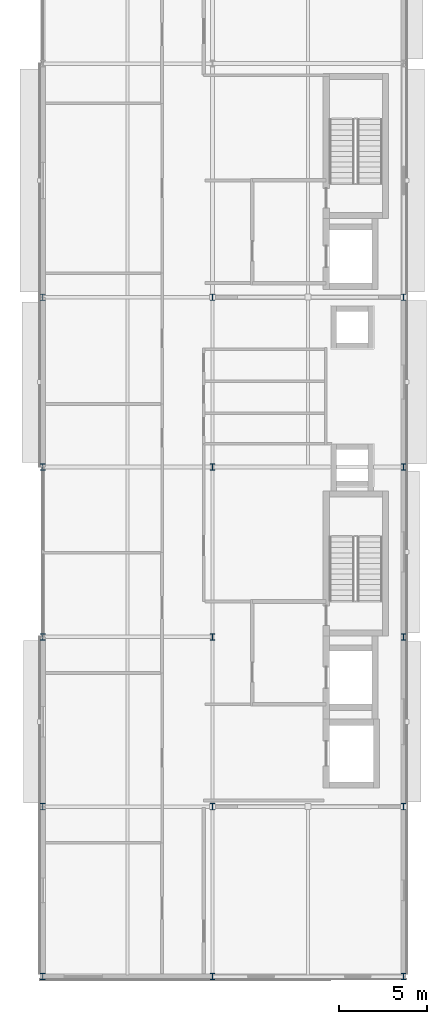
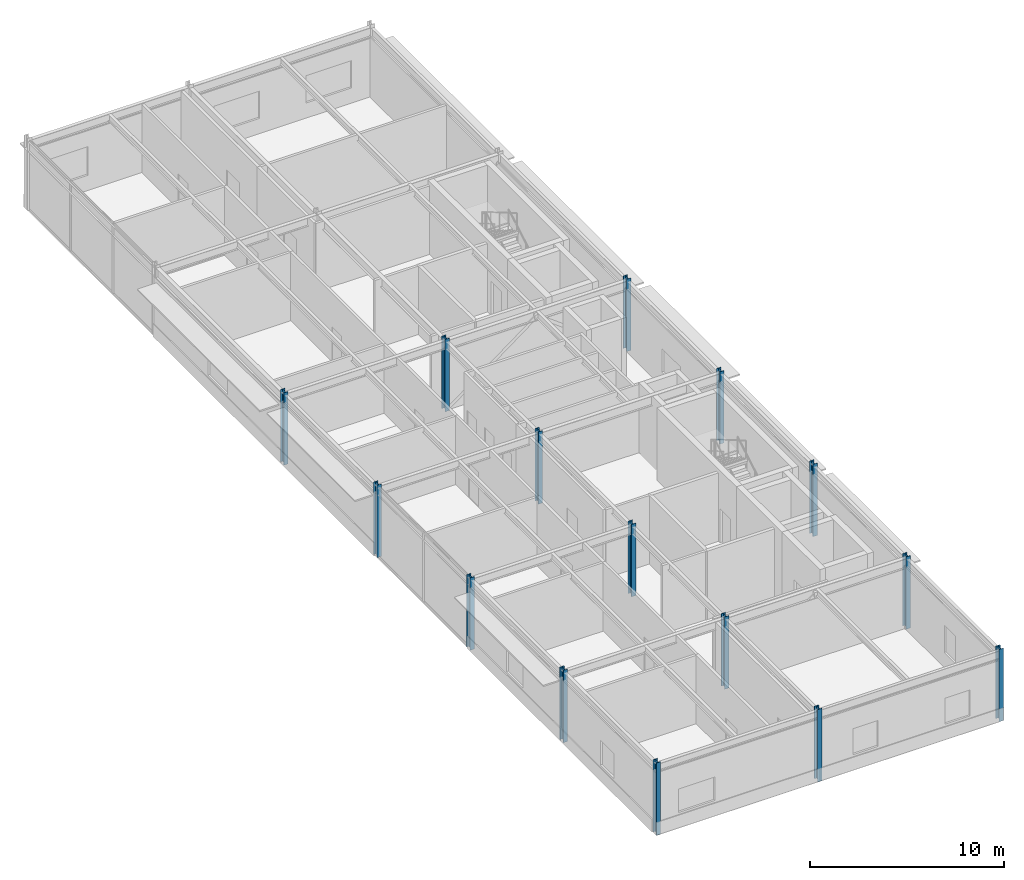
# One storey, part 1 of 17: 15 columns.
"""IFC4 building model written with IfcOpenShell, lengths in metres."""

from ifc_helpers import new_model, si_unit, direction, frame, origin, origin_2d, place, context, subcontext, project, spatial, i_section, extrude, material, material_profile, profile_set, type_object, element, save


model = new_model("IFC4")

# Units and contexts
model_context = context("Model", 3, precision=1e-05, world=origin(), true_north=direction((0.0, 1.0)))
body_context = subcontext(model_context, "Body", "Model", "MODEL_VIEW")
ifc_project = project(units=[si_unit("LENGTHUNIT", "METRE"), si_unit("AREAUNIT", "SQUARE_METRE"), si_unit("VOLUMEUNIT", "CUBIC_METRE"), si_unit("PLANEANGLEUNIT", "RADIAN"), si_unit("MASSUNIT", "GRAM", prefix="KILO")], contexts=[model_context])

# Site, building, storey
site_placement = place(None, origin())
site = spatial("IfcSite", under=ifc_project, at=site_placement, CompositionType="ELEMENT")
building_placement = place(site_placement, origin())
building = spatial("IfcBuilding", under=site, at=building_placement, Name="Almandine Court Research Institute", CompositionType="ELEMENT")
storey_placement = place(building_placement, frame((0.0, 0.0, 32.550048828125)))
storey = spatial("IfcBuildingStorey", under=building, at=storey_placement, Name="L07", CompositionType="ELEMENT", Elevation=32.550048828125)

# Columns
ifc_material = material(Name="Steel ASTM A992 Grade 50", Category="steel")
ifc_material_profile_1 = material_profile(ifc_material, i_section(OverallWidth=0.257080078125, OverallDepth=0.363037109375, WebThickness=0.012939453125, FlangeThickness=0.02197265625, at=origin_2d()), Name="W360x122")
ifc_profile_set_1 = profile_set([ifc_material_profile_1], Name="Steel ASTM A992 Grade 50")
column_type_1 = type_object("IfcColumnType", Name="Col-C-W05", PredefinedType="COLUMN", material=ifc_profile_set_1)
for number, where, z_axis, x_axis, name in (
    (1, (153.60009765625, 15.60009765625, 0.0), (0.0, 0.0, 1.0), (1.0, 0.0, 0.0), "L07 V4 Column V4-X2Y2"),
    (2, (153.60009765625, 25.199951171875, 0.0), (0.0, 0.0, 1.0), (1.0, 0.0, 0.0), "L07 V4 Column V4-X2Y3"),
    (3, (153.60009765625, 34.800048828125, 0.0), (0.0, 0.0, 1.0), (1.0, 0.0, 0.0), "L07 V4 Column V4-X2Y4"),
    (4, (153.60009765625, 44.39990234375, 0.0), (0.0, 0.0, 1.0), (1.0, 0.0, 0.0), "L07 V4 Column V4-X2Y5"),
    (5, (163.199951171875, 15.60009765625, 0.0), (0.0, 0.0, 1.0), (1.0, 0.0, 0.0), "L07 V4 Column V4-X3Y2"),
    (6, (163.199951171875, 25.199951171875, 0.0), (0.0, 0.0, 1.0), (1.0, 0.0, 0.0), "L07 V4 Column V4-X3Y3"),
    (7, (163.199951171875, 34.800048828125, 0.0), (0.0, 0.0, 1.0), (1.0, 0.0, 0.0), "L07 V4 Column V4-X3Y4"),
    (8, (163.199951171875, 44.39990234375, 0.0), (0.0, 0.0, 1.0), (1.0, 0.0, 0.0), "L07 V4 Column V4-X3Y5"),
):
    element("IfcColumn", number, at=place(storey_placement, frame(where, z_axis=z_axis, x_axis=x_axis)), inside=storey, type_object=column_type_1, Name=name, PredefinedType="COLUMN", context=body_context, shape_type="SweptSolid", body=[
        extrude(i_section(OverallWidth=0.257080078125, OverallDepth=0.363037109375, WebThickness=0.012939453125, FlangeThickness=0.02197265625, at=origin_2d()), origin(), (0.0, 0.0, 1.0), 4.550048828125),
    ])
ifc_material_profile_2 = material_profile(ifc_material, i_section(OverallWidth=0.257080078125, OverallDepth=0.363037109375, WebThickness=0.012939453125, FlangeThickness=0.02197265625, at=origin_2d()), Name="W360x122")
ifc_profile_set_2 = profile_set([ifc_material_profile_2], Name="Steel ASTM A992 Grade 50")
column_type_2 = type_object("IfcColumnType", Name="Col-C-W05-E", PredefinedType="COLUMN", material=ifc_profile_set_2)
for number, where, z_axis, x_axis, name in (
    (9, (153.60009765625, 6.0, 0.0), (0.0, 0.0, 1.0), (1.0, 0.0, 0.0), "L07 V4 Column V4-X2Y1"),
    (10, (163.199951171875, 6.0, 0.0), (0.0, 0.0, 1.0), (1.0, 0.0, 0.0), "L07 V4 Column V4-X3Y1"),
    (11, (174.0, 6.0, 0.0), (0.0, 0.0, 1.0), (1.0, 0.0, 0.0), "L07 V4 Column V4-X4Y1"),
    (12, (174.0, 15.60009765625, 0.0), (0.0, 0.0, 1.0), (1.0, 0.0, 0.0), "L07 V4 Column V4-X4Y2"),
    (13, (174.0, 25.199951171875, 0.0), (0.0, 0.0, 1.0), (1.0, 0.0, 0.0), "L07 V4 Column V4-X4Y3"),
    (14, (174.0, 34.800048828125, 0.0), (0.0, 0.0, 1.0), (1.0, 0.0, 0.0), "L07 V4 Column V4-X4Y4"),
    (15, (174.0, 44.39990234375, 0.0), (0.0, 0.0, 1.0), (1.0, 0.0, 0.0), "L07 V4 Column V4-X4Y5"),
):
    element("IfcColumn", number, at=place(storey_placement, frame(where, z_axis=z_axis, x_axis=x_axis)), inside=storey, type_object=column_type_2, Name=name, PredefinedType="COLUMN", context=body_context, shape_type="SweptSolid", body=[
        extrude(i_section(OverallWidth=0.257080078125, OverallDepth=0.363037109375, WebThickness=0.012939453125, FlangeThickness=0.02197265625, at=origin_2d()), origin(), (0.0, 0.0, 1.0), 4.550048828125),
    ])

save(model, "model.ifc")
